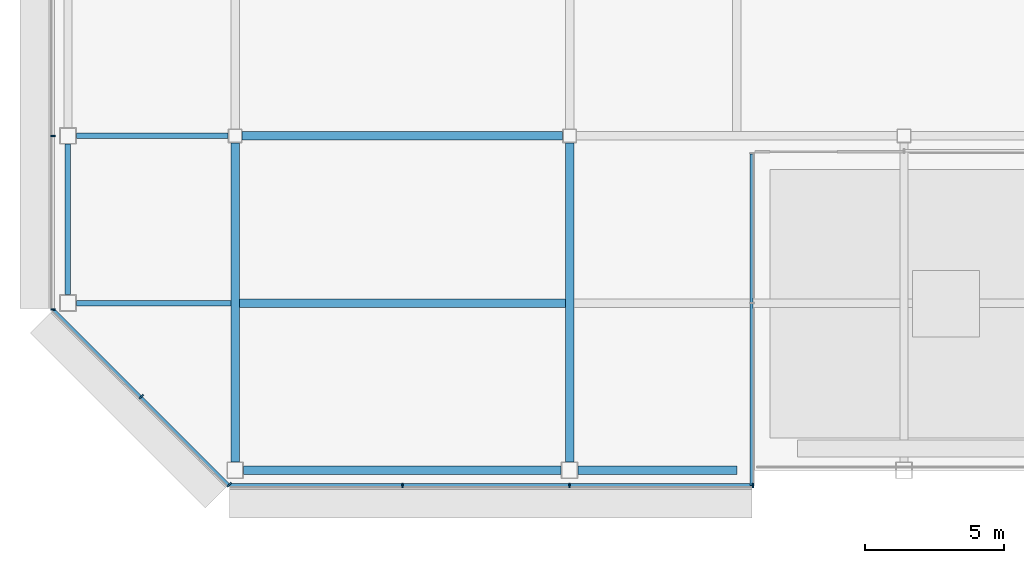
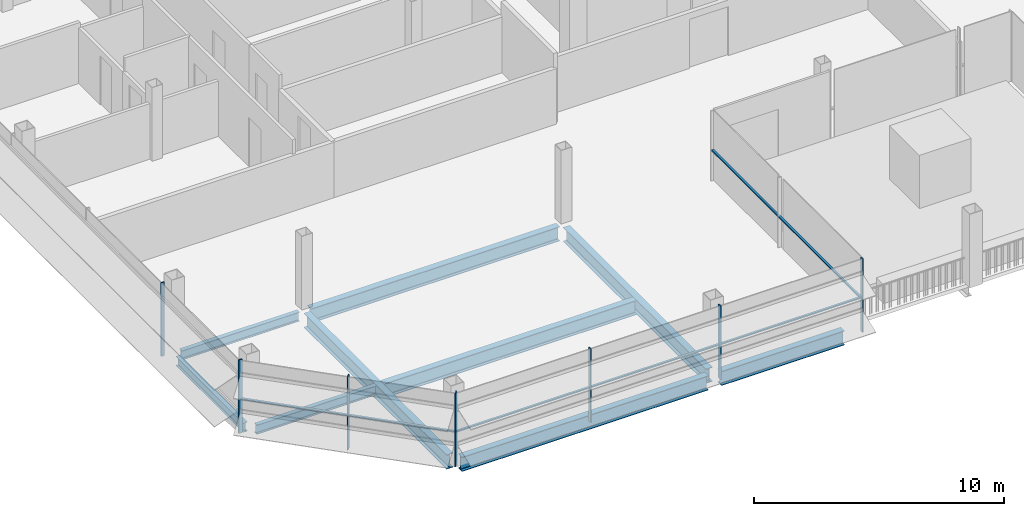
# One storey, part 3 of 27: 10 members, 9 beams, 4 elements without a shape of their own.
"""IFC4 building model written with IfcOpenShell, lengths in metres."""

from ifc_helpers import new_model, si_unit, direction, frame, origin, origin_2d, place, context, subcontext, project, spatial, rectangle, i_section, extrude, material, material_profile, profile_set, type_object, element, aggregate, save


model = new_model("IFC4")

# Units and contexts
model_context = context("Model", 3, precision=1e-05, world=origin(), true_north=direction((0.0, 1.0)))
body_context = subcontext(model_context, "Body", "Model", "MODEL_VIEW")
ifc_project = project(units=[si_unit("LENGTHUNIT", "METRE"), si_unit("AREAUNIT", "SQUARE_METRE"), si_unit("VOLUMEUNIT", "CUBIC_METRE"), si_unit("PLANEANGLEUNIT", "RADIAN"), si_unit("MASSUNIT", "GRAM", prefix="KILO")], contexts=[model_context])

# Site, building, storey
site_placement = place(None, origin())
site = spatial("IfcSite", under=ifc_project, at=site_placement, CompositionType="ELEMENT")
building_placement = place(site_placement, origin())
building = spatial("IfcBuilding", under=site, at=building_placement, Name="Sorahane Residences", CompositionType="ELEMENT")
storey_placement = place(building_placement, frame((0.0, 0.0, 298.0)))
storey = spatial("IfcBuildingStorey", under=building, at=storey_placement, Name="L70", CompositionType="ELEMENT", Elevation=298.0)

# Curtain wall, members
ifc_material_1 = material(Name="Dark low-e glass and black anodised aluminium", Category="aluminium")
curtain_wall_type_1 = type_object("IfcCurtainWallType", Name="Curtain wall CW-1 Typical unitised wall", PredefinedType="NOTDEFINED", material=ifc_material_1)
curtain_wall_1_placement = place(storey_placement, origin())
curtain_wall_1 = element("IfcCurtainWall", 1, at=curtain_wall_1_placement, inside=storey, type_object=curtain_wall_type_1, Name="CW-1 curtain wall L70 S1", PredefinedType="NOTDEFINED")
ifc_material_2 = material(Name="Black anodised aluminium", Category="aluminium")
ifc_material_profile_1 = material_profile(ifc_material_2, rectangle(XDim=0.159912109375, YDim=0.050048828125, at=origin_2d()), Name="Curtain wall mullion CW-1 black anodised aluminium 50x160")
ifc_profile_set_1 = profile_set([ifc_material_profile_1], Name="Black anodised aluminium")
member_type_1 = type_object("IfcMemberType", Name="Curtain wall mullion CW-1 black anodised aluminium 50x160", PredefinedType="MULLION", material=ifc_profile_set_1)
member_1_placement = place(storey_placement, frame((-6.0, -0.5400390625, -0.179931640625), z_axis=(0.0, 0.0, 1.0), x_axis=(0.0, -1.0, 0.0)))
member_1 = element("IfcMember", 2, at=member_1_placement, type_object=member_type_1, Name="CW-1 mullion L70 S1.2", PredefinedType="MULLION", context=body_context, shape_type="SweptSolid", body=[
    extrude(rectangle(XDim=0.159912109375, YDim=0.050048828125, at=origin_2d()), origin(), (0.0, 0.0, 1.0), 3.599853515625),
])
member_2_placement = place(storey_placement, frame((0.0, -0.5400390625, -0.179931640625), z_axis=(0.0, 0.0, 1.0), x_axis=(0.0, -1.0, 0.0)))
member_2 = element("IfcMember", 3, at=member_2_placement, type_object=member_type_1, Name="CW-1 mullion L70 S1.3", PredefinedType="MULLION", context=body_context, shape_type="SweptSolid", body=[
    extrude(rectangle(XDim=0.159912109375, YDim=0.050048828125, at=origin_2d()), origin(), (0.0, 0.0, 1.0), 3.599853515625),
])
member_3_placement = place(storey_placement, frame((6.574951171875, -0.5400390625, -0.179931640625), z_axis=(0.0, 0.0, 1.0), x_axis=(0.0, -1.0, 0.0)))
member_3 = element("IfcMember", 4, at=member_3_placement, type_object=member_type_1, Name="CW-1 mullion L70 S1.4", PredefinedType="MULLION", context=body_context, shape_type="SweptSolid", body=[
    extrude(rectangle(XDim=0.159912109375, YDim=0.050048828125, at=origin_2d()), origin(), (0.0, 0.0, 1.0), 3.599853515625),
])

curtain_wall_2_placement = place(storey_placement, origin())
curtain_wall_2 = element("IfcCurtainWall", 5, at=curtain_wall_2_placement, inside=storey, type_object=curtain_wall_type_1, Name="CW-1 curtain wall L70 W2", PredefinedType="NOTDEFINED")
member_4_placement = place(storey_placement, frame((-18.5400390625, 12.0, -0.179931640625), z_axis=(0.0, 0.0, 1.0), x_axis=(-1.0, 0.0, 0.0)))
member_4 = element("IfcMember", 6, at=member_4_placement, type_object=member_type_1, Name="CW-1 mullion L70 W2.6", PredefinedType="MULLION", context=body_context, shape_type="SweptSolid", body=[
    extrude(rectangle(XDim=0.159912109375, YDim=0.050048828125, at=origin_2d()), origin(), (0.0, 0.0, 1.0), 3.599853515625),
])
member_5_placement = place(storey_placement, frame((-18.5400390625, 5.7763671875, -0.179931640625), z_axis=(0.0, 0.0, 1.0), x_axis=(-1.0, 0.0, 0.0)))
member_5 = element("IfcMember", 7, at=member_5_placement, type_object=member_type_1, Name="CW-1 mullion L70 W2.7", PredefinedType="MULLION", context=body_context, shape_type="SweptSolid", body=[
    extrude(rectangle(XDim=0.159912109375, YDim=0.050048828125, at=origin_2d()), origin(), (0.0, 0.0, 1.0), 3.599853515625),
])
aggregate(curtain_wall_2, [member_4, member_5])

ifc_material_3 = material(Name="Dark low-e glass and black anodised aluminium", Category="aluminium")
curtain_wall_type_2 = type_object("IfcCurtainWallType", Name="Curtain wall CW-2 Chamfer unitised wall", PredefinedType="NOTDEFINED", material=ifc_material_3)
curtain_wall_3_placement = place(storey_placement, origin())
curtain_wall_3 = element("IfcCurtainWall", 8, at=curtain_wall_3_placement, inside=storey, type_object=curtain_wall_type_2, Name="CW-2 curtain wall L70 SW1", PredefinedType="NOTDEFINED")
ifc_material_4 = material(Name="Black anodised aluminium", Category="aluminium")
ifc_material_profile_2 = material_profile(ifc_material_4, rectangle(XDim=0.199951171875, YDim=0.050048828125, at=origin_2d()), Name="Curtain wall mullion CW-2 black anodised aluminium 50x200")
ifc_profile_set_2 = profile_set([ifc_material_profile_2], Name="Black anodised aluminium")
member_type_2 = type_object("IfcMemberType", Name="Curtain wall mullion CW-2 black anodised aluminium 50x200", PredefinedType="MULLION", material=ifc_profile_set_2)
member_6_placement = place(storey_placement, frame((-15.36767578125, 2.63232421875, -0.179931640625), z_axis=(0.0, 0.0, 1.0), x_axis=(-0.707106781187, -0.707106781187, 0.0)))
member_6 = element("IfcMember", 9, at=member_6_placement, type_object=member_type_2, Name="CW-2 mullion L70 SW1.2", PredefinedType="MULLION", context=body_context, shape_type="SweptSolid", body=[
    extrude(rectangle(XDim=0.199951171875, YDim=0.050048828125, at=origin_2d()), origin(), (0.0, 0.0, 1.0), 3.599853515625),
])
member_7_placement = place(storey_placement, frame((-12.209716796875, -0.525634765625, -0.179931640625), z_axis=(0.0, 0.0, 1.0), x_axis=(-0.707106781187, -0.707106781187, 0.0)))
member_7 = element("IfcMember", 10, at=member_7_placement, type_object=member_type_2, Name="CW-2 mullion L70 SW1.3", PredefinedType="MULLION", context=body_context, shape_type="SweptSolid", body=[
    extrude(rectangle(XDim=0.199951171875, YDim=0.050048828125, at=origin_2d()), origin(), (0.0, 0.0, 1.0), 3.599853515625),
])

# Member
ifc_material_5 = material(Name="Black anodised aluminium", Category="aluminium")
ifc_material_profile_3 = material_profile(ifc_material_5, rectangle(XDim=0.10009765625, YDim=0.06005859375, at=origin_2d()), Name="Curtain wall transom CW-1 black anodised aluminium 60x100")
ifc_profile_set_3 = profile_set([ifc_material_profile_3], Name="Black anodised aluminium")
member_type_3 = type_object("IfcMemberType", Name="Curtain wall transom CW-1 black anodised aluminium 60x100", PredefinedType="USERDEFINED", material=ifc_profile_set_3)
member_8_placement = place(storey_placement, frame((-12.198486328125, -0.530029296875, 1.5), z_axis=(1.0, 0.0, 0.0), x_axis=(0.0, 1.0, 0.0)))
member_8 = element("IfcMember", 11, at=member_8_placement, type_object=member_type_3, Name="CW-1 transom L70 S1", ObjectType="TRANSOM", PredefinedType="USERDEFINED", context=body_context, shape_type="SweptSolid", body=[
    extrude(rectangle(XDim=0.10009765625, YDim=0.06005859375, at=origin_2d()), origin(), (0.0, 0.0, 1.0), 18.74853515625),
])

aggregate(curtain_wall_1, [member_1, member_2, member_3, member_8])

# Curtain wall, member
curtain_wall_4_placement = place(storey_placement, origin())
curtain_wall_4 = element("IfcCurtainWall", 12, at=curtain_wall_4_placement, inside=storey, type_object=curtain_wall_type_1, Name="CW-1 curtain wall L70 E1", PredefinedType="NOTDEFINED")
member_9_placement = place(storey_placement, frame((6.530029296875, -0.550048828125, 1.5), z_axis=(0.0, 1.0, 0.0), x_axis=(-1.0, 0.0, 0.0)))
member_9 = element("IfcMember", 13, at=member_9_placement, type_object=member_type_3, Name="CW-1 transom L70 E1", ObjectType="TRANSOM", PredefinedType="USERDEFINED", context=body_context, shape_type="SweptSolid", body=[
    extrude(rectangle(XDim=0.10009765625, YDim=0.06005859375, at=origin_2d()), origin(), (0.0, 0.0, 1.0), 11.900146484375),
])
aggregate(curtain_wall_4, [member_9])

# Member
ifc_material_6 = material(Name="Black anodised aluminium", Category="aluminium")
ifc_material_profile_4 = material_profile(ifc_material_6, rectangle(XDim=0.10009765625, YDim=0.06005859375, at=origin_2d()), Name="Curtain wall transom CW-2 black anodised aluminium 60x100")
ifc_profile_set_4 = profile_set([ifc_material_profile_4], Name="Black anodised aluminium")
member_type_4 = type_object("IfcMemberType", Name="Curtain wall transom CW-2 black anodised aluminium 60x100", PredefinedType="USERDEFINED", material=ifc_profile_set_4)
member_10_placement = place(storey_placement, frame((-18.51513671875, 5.765625, 1.5), z_axis=(0.707106781187, -0.707106781187, 0.0), x_axis=(0.707106781187, 0.707106781187, 0.0)))
member_10 = element("IfcMember", 14, at=member_10_placement, type_object=member_type_4, Name="CW-2 transom L70 SW1", ObjectType="TRANSOM", PredefinedType="USERDEFINED", context=body_context, shape_type="SweptSolid", body=[
    extrude(rectangle(XDim=0.10009765625, YDim=0.06005859375, at=origin_2d()), origin(), (0.0, 0.0, 1.0), 8.88232421875),
])

aggregate(curtain_wall_3, [member_6, member_7, member_10])

# Beams
ifc_material_7 = material(Name="Steel Q355B", Category="steel")
ifc_material_profile_5 = material_profile(ifc_material_7, i_section(OverallWidth=0.199951171875, OverallDepth=0.449951171875, WebThickness=0.009033203125, FlangeThickness=0.013916015625, FilletRadius=0.02001953125, at=origin_2d()), Name="HN 450x200x9x14")
ifc_profile_set_5 = profile_set([ifc_material_profile_5], Name="Steel Q355B")
beam_type_1 = type_object("IfcBeamType", Name="Steel floor beam HN 450x200x9x14 Q355B", PredefinedType="BEAM", material=ifc_profile_set_5)
beam_1_placement = place(storey_placement, frame((-17.699951171875, 12.0, -0.405029296875), z_axis=(1.0, 0.0, 0.0), x_axis=(0.0, 1.0, 0.0)))
element("IfcBeam", 15, at=beam_1_placement, inside=storey, type_object=beam_type_1, Name="Beam L70 005", PredefinedType="BEAM", context=body_context, shape_type="SweptSolid", body=[
    extrude(i_section(OverallWidth=0.199951171875, OverallDepth=0.449951171875, WebThickness=0.009033203125, FlangeThickness=0.013916015625, FilletRadius=0.02001953125, at=origin_2d()), origin(), (0.0, 0.0, 1.0), 5.449951171875),
])
beam_2_placement = place(storey_placement, frame((-18.0, 6.300048828125, -0.405029296875), z_axis=(0.0, 1.0, 0.0), x_axis=(-1.0, 0.0, 0.0)))
element("IfcBeam", 16, at=beam_2_placement, inside=storey, type_object=beam_type_1, Name="Beam L70 020", PredefinedType="BEAM", context=body_context, shape_type="SweptSolid", body=[
    extrude(i_section(OverallWidth=0.199951171875, OverallDepth=0.449951171875, WebThickness=0.009033203125, FlangeThickness=0.013916015625, FilletRadius=0.02001953125, at=origin_2d()), origin(), (0.0, 0.0, 1.0), 5.39990234375),
])
beam_3_placement = place(storey_placement, frame((-17.699951171875, 6.0, -0.405029296875), z_axis=(1.0, 0.0, 0.0), x_axis=(0.0, 1.0, 0.0)))
element("IfcBeam", 17, at=beam_3_placement, inside=storey, type_object=beam_type_1, Name="Beam L70 064", PredefinedType="BEAM", context=body_context, shape_type="SweptSolid", body=[
    extrude(i_section(OverallWidth=0.199951171875, OverallDepth=0.449951171875, WebThickness=0.009033203125, FlangeThickness=0.013916015625, FilletRadius=0.02001953125, at=origin_2d()), origin(), (0.0, 0.0, 1.0), 5.550048828125),
])
ifc_material_8 = material(Name="Steel Q355B", Category="steel")
ifc_material_profile_6 = material_profile(ifc_material_8, i_section(OverallWidth=0.300048828125, OverallDepth=0.699951171875, WebThickness=0.012939453125, FlangeThickness=0.02392578125, FilletRadius=0.028076171875, at=origin_2d()), Name="HN 700x300x13x24")
ifc_profile_set_6 = profile_set([ifc_material_profile_6], Name="Steel Q355B")
beam_type_2 = type_object("IfcBeamType", Name="Steel floor beam HN 700x300x13x24 Q355B", PredefinedType="BEAM", material=ifc_profile_set_6)
beam_4_placement = place(storey_placement, frame((-11.699951171875, 0.0, -0.530029296875), z_axis=(1.0, 0.0, 0.0), x_axis=(0.0, 1.0, 0.0)))
element("IfcBeam", 18, at=beam_4_placement, inside=storey, type_object=beam_type_2, Name="Beam L70 000", PredefinedType="BEAM", context=body_context, shape_type="SweptSolid", body=[
    extrude(i_section(OverallWidth=0.300048828125, OverallDepth=0.699951171875, WebThickness=0.012939453125, FlangeThickness=0.02392578125, FilletRadius=0.028076171875, at=origin_2d()), origin(), (0.0, 0.0, 1.0), 11.39990234375),
])
beam_5_placement = place(storey_placement, frame((0.300048828125, 0.0, -0.530029296875), z_axis=(1.0, 0.0, 0.0), x_axis=(0.0, 1.0, 0.0)))
element("IfcBeam", 19, at=beam_5_placement, inside=storey, type_object=beam_type_2, Name="Beam L70 001", PredefinedType="BEAM", context=body_context, shape_type="SweptSolid", body=[
    extrude(i_section(OverallWidth=0.300048828125, OverallDepth=0.699951171875, WebThickness=0.012939453125, FlangeThickness=0.02392578125, FilletRadius=0.028076171875, at=origin_2d()), origin(), (0.0, 0.0, 1.0), 5.699951171875),
])
beam_6_placement = place(storey_placement, frame((-11.75, 12.0, -0.530029296875), z_axis=(1.0, 0.0, 0.0), x_axis=(0.0, 1.0, 0.0)))
element("IfcBeam", 20, at=beam_6_placement, inside=storey, type_object=beam_type_2, Name="Beam L70 006", PredefinedType="BEAM", context=body_context, shape_type="SweptSolid", body=[
    extrude(i_section(OverallWidth=0.300048828125, OverallDepth=0.699951171875, WebThickness=0.012939453125, FlangeThickness=0.02392578125, FilletRadius=0.028076171875, at=origin_2d()), origin(), (0.0, 0.0, 1.0), 11.5),
])
for number, where, z_axis, x_axis, name in (
    (21, (-12.0, 0.300048828125, -0.530029296875), (0.0, 1.0, 0.0), (-1.0, 0.0, 0.0), "Beam L70 024"),
    (22, (0.0, 0.300048828125, -0.530029296875), (0.0, 1.0, 0.0), (-1.0, 0.0, 0.0), "Beam L70 028"),
):
    element("IfcBeam", number, at=place(storey_placement, frame(where, z_axis=z_axis, x_axis=x_axis)), inside=storey, type_object=beam_type_2, Name=name, PredefinedType="BEAM", context=body_context, shape_type="SweptSolid", body=[
        extrude(i_section(OverallWidth=0.300048828125, OverallDepth=0.699951171875, WebThickness=0.012939453125, FlangeThickness=0.02392578125, FilletRadius=0.028076171875, at=origin_2d()), origin(), (0.0, 0.0, 1.0), 11.449951171875),
    ])
beam_7_placement = place(storey_placement, frame((-11.85009765625, 6.0, -0.530029296875), z_axis=(1.0, 0.0, 0.0), x_axis=(0.0, 1.0, 0.0)))
element("IfcBeam", 23, at=beam_7_placement, inside=storey, type_object=beam_type_2, Name="Beam L70 065", PredefinedType="BEAM", context=body_context, shape_type="SweptSolid", body=[
    extrude(i_section(OverallWidth=0.300048828125, OverallDepth=0.699951171875, WebThickness=0.012939453125, FlangeThickness=0.02392578125, FilletRadius=0.028076171875, at=origin_2d()), origin(), (0.0, 0.0, 1.0), 11.7001953125),
])

save(model, "model.ifc")
